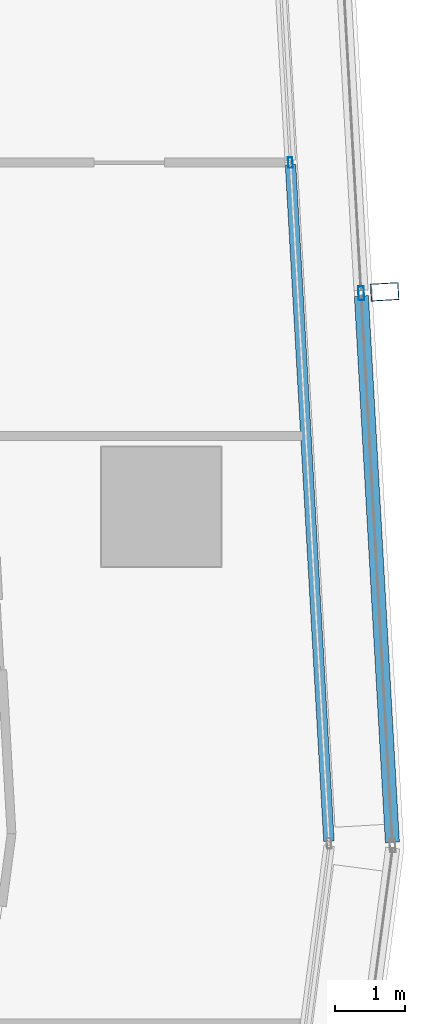
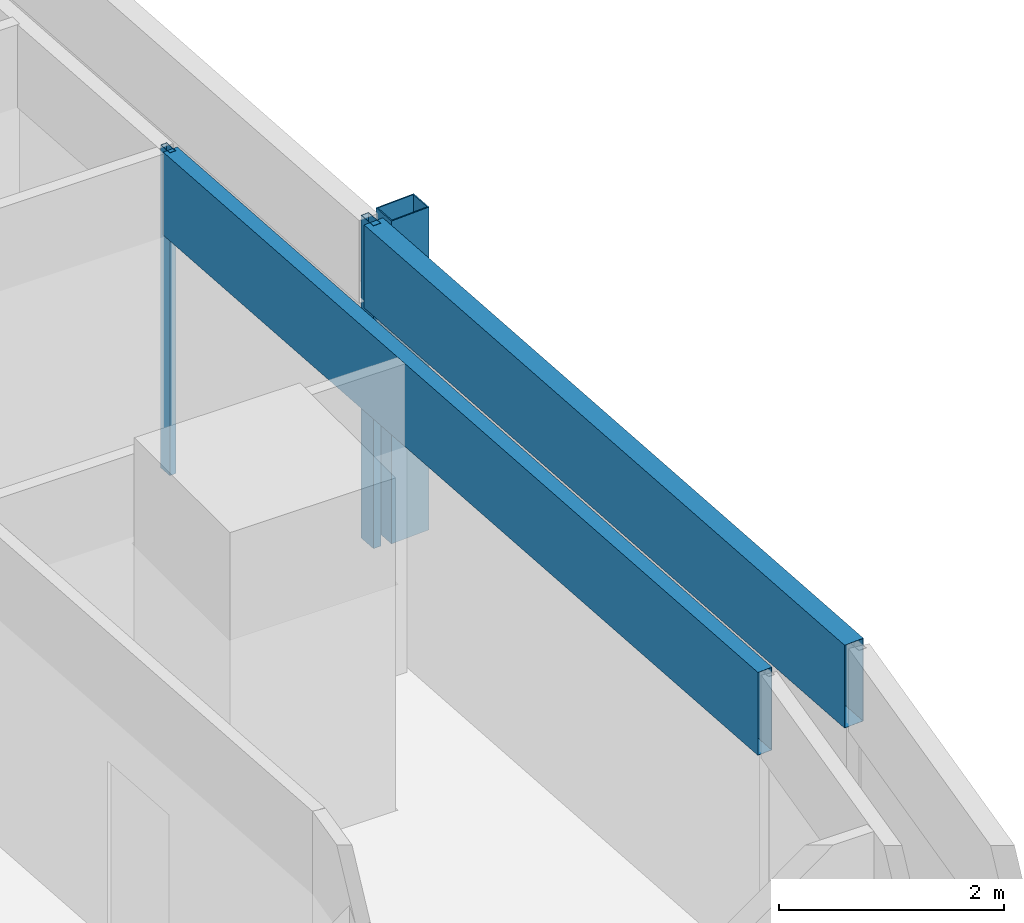
# One storey, part 14 of 39: 5 members, 2 elements without a shape of their own.
"""IFC4 building model written with IfcOpenShell, lengths in metres."""

from ifc_helpers import new_model, si_unit, direction, frame, origin, origin_2d, place, context, subcontext, project, spatial, hollow_rectangle, extrude, material, material_profile, profile_set, type_object, element, aggregate, save


model = new_model("IFC4")

# Units and contexts
model_context = context("Model", 3, precision=1e-05, world=origin(), true_north=direction((0.0, 1.0)))
body_context = subcontext(model_context, "Body", "Model", "MODEL_VIEW")
ifc_project = project(units=[si_unit("LENGTHUNIT", "METRE"), si_unit("AREAUNIT", "SQUARE_METRE"), si_unit("VOLUMEUNIT", "CUBIC_METRE"), si_unit("PLANEANGLEUNIT", "RADIAN"), si_unit("MASSUNIT", "GRAM", prefix="KILO")], contexts=[model_context])

# Site, building, storey
site_placement = place(None, origin())
site = spatial("IfcSite", under=ifc_project, at=site_placement, CompositionType="ELEMENT")
building_placement = place(site_placement, origin())
building = spatial("IfcBuilding", under=site, at=building_placement, Name="Rekha Terrace Tower", CompositionType="ELEMENT")
storey_placement = place(building_placement, frame((0.0, 0.0, 183.949951171875)))
storey = spatial("IfcBuildingStorey", under=building, at=storey_placement, Name="L46", CompositionType="ELEMENT", Elevation=183.949951171875)

# Curtain wall, member
ifc_material_1 = material(Name="Aluminium framing", Category="aluminium")
curtain_wall_type_1 = type_object("IfcCurtainWallType", Name="CW2 double skin outer glazing", PredefinedType="USERDEFINED", material=ifc_material_1)
curtain_wall_1_placement = place(storey_placement, origin())
curtain_wall_1 = element("IfcCurtainWall", 1, at=curtain_wall_1_placement, inside=storey, type_object=curtain_wall_type_1, Name="CW2 double skin outer glazing", ObjectType="DOUBLE SKIN OUTER GLAZING", PredefinedType="USERDEFINED")
ifc_material_2 = material(Name="Steel S355 with fluorocarbon finish", Category="steel")
ifc_material_profile_1 = material_profile(ifc_material_2, hollow_rectangle(XDim=0.25, YDim=0.39990234375, WallThickness=0.012451171875, at=origin_2d()), Name="RHS400x250x12.5")
ifc_profile_set_1 = profile_set([ifc_material_profile_1], Name="Steel S355 with fluorocarbon finish")
member_type_1 = type_object("IfcMemberType", Name="BL1 facade blade RHS 400 x 250", PredefinedType="USERDEFINED", material=ifc_profile_set_1)
member_1_placement = place(storey_placement, frame((61.975830078125, 36.65576171875, 0.0), z_axis=(0.0, 0.0, 1.0), x_axis=(-0.056673619809, 0.998392758797, 0.0)))
member_1 = element("IfcMember", 2, at=member_1_placement, type_object=member_type_1, Name="Facade blade", ObjectType="FACADE BLADE", PredefinedType="USERDEFINED", context=body_context, shape_type="SweptSolid", body=[
    extrude(hollow_rectangle(XDim=0.25, YDim=0.39990234375, WallThickness=0.012451171875, at=origin_2d()), origin(), (0.0, 0.0, 1.0), 3.5),
])

# Curtain wall, members
curtain_wall_type_2 = type_object("IfcCurtainWallType", Name="CW1 double skin inner glazing", PredefinedType="USERDEFINED", material=ifc_material_1)
curtain_wall_2_placement = place(storey_placement, origin())
curtain_wall_2 = element("IfcCurtainWall", 3, at=curtain_wall_2_placement, inside=storey, type_object=curtain_wall_type_2, Name="CW1 double skin inner glazing", ObjectType="DOUBLE SKIN INNER GLAZING", PredefinedType="USERDEFINED")
ifc_material_3 = material(Name="Aluminium mullion section", Category="aluminium")
ifc_material_profile_2 = material_profile(ifc_material_3, hollow_rectangle(XDim=0.06494140625, YDim=0.14990234375, WallThickness=0.00390625, at=origin_2d()), Name="AL RHS 65x150")
ifc_profile_set_2 = profile_set([ifc_material_profile_2], Name="Aluminium mullion section")
member_type_2 = type_object("IfcMemberType", Name="CW1 mullion RHS 65 x 150", PredefinedType="MULLION", material=ifc_profile_set_2)
member_2_placement = place(storey_placement, frame((60.634521484375, 38.494873046875, 0.0), z_axis=(0.0, 0.0, 1.0), x_axis=(-0.998392782918, -0.056673194877, 0.0)))
member_2 = element("IfcMember", 4, at=member_2_placement, type_object=member_type_2, Name="CW1 mullion 2", PredefinedType="MULLION", context=body_context, shape_type="SweptSolid", body=[
    extrude(hollow_rectangle(XDim=0.06494140625, YDim=0.14990234375, WallThickness=0.00390625, at=origin_2d()), origin(), (0.0, 0.0, 1.0), 3.5),
])
ifc_material_4 = material(Name="Insulated aluminium spandrel box", Category="aluminium")
ifc_material_profile_3 = material_profile(ifc_material_4, hollow_rectangle(XDim=0.14990234375, YDim=0.89990234375, WallThickness=0.0029296875, at=origin_2d()), Name="AL SPANDREL BOX 150x900")
ifc_profile_set_3 = profile_set([ifc_material_profile_3], Name="Insulated aluminium spandrel box")
member_type_3 = type_object("IfcMemberType", Name="CW1 spandrel transom 150 x 900", PredefinedType="USERDEFINED", material=ifc_profile_set_3)
member_3_placement = place(storey_placement, frame((61.182373046875, 28.8447265625, 3.050048828125), z_axis=(-0.056668701652, 0.998393037963, 0.0), x_axis=(-0.998393037963, -0.056668701652, 0.0)))
member_3 = element("IfcMember", 5, at=member_3_placement, type_object=member_type_3, Name="CW1 spandrel transom 1", ObjectType="TRANSOM", PredefinedType="USERDEFINED", context=body_context, shape_type="SweptSolid", body=[
    extrude(hollow_rectangle(XDim=0.14990234375, YDim=0.89990234375, WallThickness=0.0029296875, at=origin_2d()), origin(), (0.0, 0.0, 1.0), 9.633056640625),
])
aggregate(curtain_wall_2, [member_2, member_3])

# Member
ifc_material_profile_4 = material_profile(ifc_material_3, hollow_rectangle(XDim=0.080078125, YDim=0.199951171875, WallThickness=0.00390625, at=origin_2d()), Name="AL RHS 80x200")
ifc_profile_set_4 = profile_set([ifc_material_profile_4], Name="Aluminium mullion section")
member_type_4 = type_object("IfcMemberType", Name="CW2 mullion RHS 80 x 200", PredefinedType="MULLION", material=ifc_profile_set_4)
member_4_placement = place(storey_placement, frame((61.6416015625, 36.63671875, 0.0), z_axis=(0.0, 0.0, 1.0), x_axis=(-0.998392782919, -0.05667319486, 0.0)))
member_4 = element("IfcMember", 6, at=member_4_placement, type_object=member_type_4, Name="CW2 mullion 2", PredefinedType="MULLION", context=body_context, shape_type="SweptSolid", body=[
    extrude(hollow_rectangle(XDim=0.080078125, YDim=0.199951171875, WallThickness=0.00390625, at=origin_2d()), origin(), (0.0, 0.0, 1.0), 3.5),
])

ifc_material_profile_5 = material_profile(ifc_material_4, hollow_rectangle(XDim=0.199951171875, YDim=0.89990234375, WallThickness=0.0029296875, at=origin_2d()), Name="AL SPANDREL BOX 200x900")
ifc_profile_set_5 = profile_set([ifc_material_profile_5], Name="Insulated aluminium spandrel box")
member_type_5 = type_object("IfcMemberType", Name="CW2 spandrel transom 200 x 900", PredefinedType="USERDEFINED", material=ifc_profile_set_5)
member_5_placement = place(storey_placement, frame((62.0849609375, 28.825927734375, 3.050048828125), z_axis=(-0.05667908121, 0.998392448766, 0.0), x_axis=(-0.998392448766, -0.05667908121, 0.0)))
member_5 = element("IfcMember", 7, at=member_5_placement, type_object=member_type_5, Name="CW2 spandrel transom 1", ObjectType="TRANSOM", PredefinedType="USERDEFINED", context=body_context, shape_type="SweptSolid", body=[
    extrude(hollow_rectangle(XDim=0.199951171875, YDim=0.89990234375, WallThickness=0.0029296875, at=origin_2d()), origin(), (0.0, 0.0, 1.0), 7.783447265625),
])

aggregate(curtain_wall_1, [member_4, member_5, member_1])

save(model, "model.ifc")
